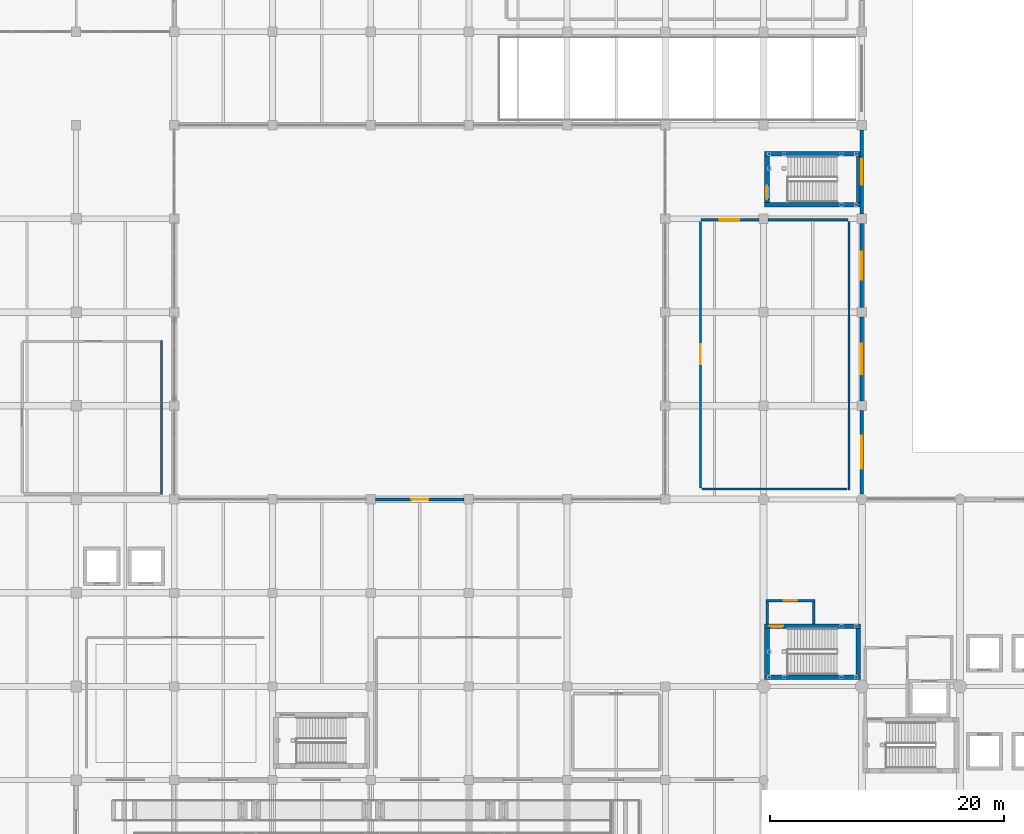
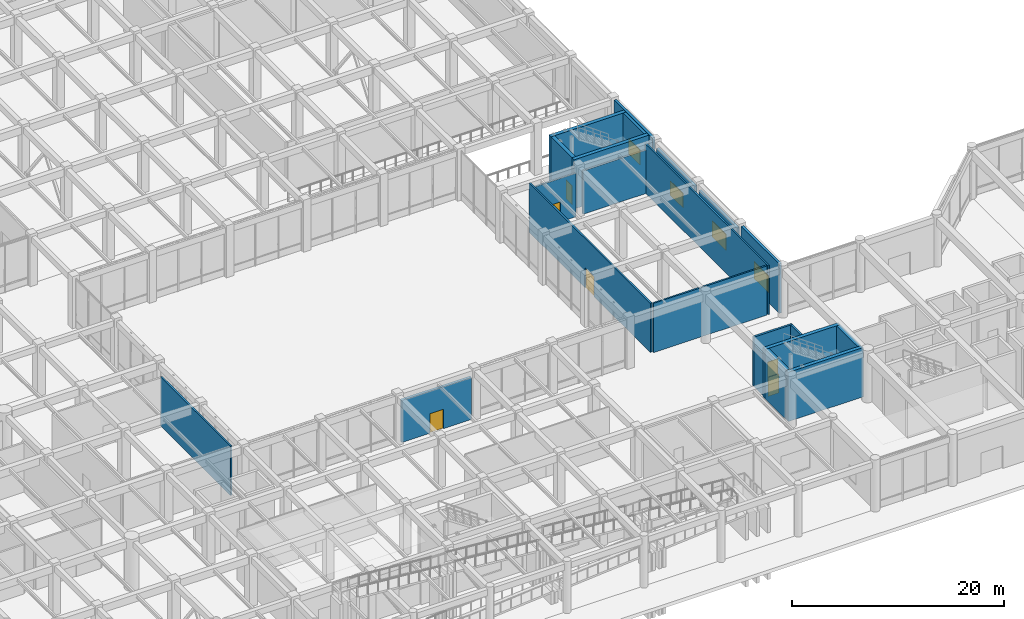
# One storey, part 53 of 76: 22 walls, 6 doors, 4 windows, 10 openings.
"""IFC4 building model written with IfcOpenShell, lengths in metres."""

from ifc_helpers import new_model, si_unit, direction, frame, frame_2d, origin, place, context, subcontext, project, spatial, rectangle, extrude, material, layer, layer_set, type_object, element, fill, save


model = new_model("IFC4")

# Units and contexts
model_context = context("Model", 3, precision=1e-05, world=origin(), true_north=direction((0.0, 1.0)))
body_context = subcontext(model_context, "Body", "Model", "MODEL_VIEW")
ifc_project = project(units=[si_unit("LENGTHUNIT", "METRE"), si_unit("AREAUNIT", "SQUARE_METRE"), si_unit("VOLUMEUNIT", "CUBIC_METRE"), si_unit("PLANEANGLEUNIT", "RADIAN"), si_unit("MASSUNIT", "GRAM", prefix="KILO")], contexts=[model_context])

# Site, building, storey
site_placement = place(None, origin())
site = spatial("IfcSite", under=ifc_project, at=site_placement, CompositionType="ELEMENT")
building_placement = place(site_placement, origin())
building = spatial("IfcBuilding", under=site, at=building_placement, Name="Naruveol Harbour Congress Hotel", CompositionType="ELEMENT")
storey_placement = place(building_placement, origin())
storey = spatial("IfcBuildingStorey", under=building, at=storey_placement, Name="L00", CompositionType="ELEMENT", Elevation=0.0)

# Wall, opening, door
ifc_material_1 = material(Name="Autoclaved Aerated Concrete Block", Category="concrete")
ifc_layer_1 = layer(ifc_material_1, 0.179931640625)
ifc_layer_set_1 = layer_set([ifc_layer_1], Name="Autoclaved Aerated Concrete Block")
wall_type_1 = type_object("IfcWallType", Name="ACOUSTIC HALL PARTITION WALL 180 EI60", PredefinedType="PARTITIONING", material=ifc_layer_set_1)
wall_1_placement = place(storey_placement, frame((112.199951171875, 32.9599609375, 0.0), z_axis=(0.0, 0.0, 1.0), x_axis=(0.0, 1.0, 0.0)))
wall_1 = element("IfcWall", 1, at=wall_1_placement, inside=storey, type_object=wall_type_1, Name="Atrium Espresso Bar and Patisserie west entry wall PW-180", PredefinedType="PARTITIONING", context=body_context, shape_type="SweptSolid", body=[
    extrude(rectangle(XDim=22.880126953125, YDim=0.179931640625, at=frame_2d((11.43994140625, 0.0))), origin(), (0.0, 0.0, 1.0), 5.675048828125),
])
opening_1_placement = place(wall_1_placement, frame((10.590087890625, 0.0, 0.0)))
opening_1 = element("IfcOpeningElement", 2, at=opening_1_placement, cuts=wall_1, Name="Opening ID-MT-30", PredefinedType="OPENING", context=body_context, shape_type="SweptSolid", body=[
    extrude(rectangle(XDim=1.699951171875, YDim=2.300048828125, at=frame_2d((0.85009765625, 1.14990234375))), frame((0.0, 0.099853515625, 0.0), z_axis=(0.0, -1.0, 0.0), x_axis=(1.0, 0.0, 0.0)), (0.0, 0.0, 1.0), 0.199951171875),
])
ifc_material_2 = material(Name="Timber & Steel Acoustic Leaf", Category="steel")
door_type_1 = type_object("IfcDoorType", Name="MEETING SALON DOUBLE DOOR 1700X2300", OperationType="DOUBLE_DOOR_SINGLE_SWING", PredefinedType="DOOR", material=ifc_material_2)
door_1_placement = place(opening_1_placement, origin())
door_1 = element("IfcDoor", 3, at=door_1_placement, inside=storey, type_object=door_type_1, Name="Atrium Espresso Bar and Patisserie Entrance Door", OperationType="DOUBLE_DOOR_SINGLE_SWING", OverallHeight=2.300048828125, OverallWidth=1.699951171875, PredefinedType="DOOR", context=body_context, shape_type="SweptSolid", body=[
    extrude(rectangle(XDim=1.699951171875, YDim=2.300048828125, at=frame_2d((0.85009765625, 1.14990234375))), frame((0.0, 0.02490234375, 0.0), z_axis=(0.0, -1.0, 0.0), x_axis=(1.0, 0.0, 0.0)), (0.0, 0.0, 1.0), 0.050048828125),
])
fill(opening_1, door_1)

# Walls
wall_2_placement = place(storey_placement, frame((112.340087890625, 32.8798828125, 0.0), z_axis=(0.0, 0.0, 1.0), x_axis=(1.0, 0.0, 0.0)))
element("IfcWall", 4, at=wall_2_placement, inside=storey, type_object=wall_type_1, Name="Atrium Espresso Bar and Patisserie south partition PW-180", PredefinedType="PARTITIONING", context=body_context, shape_type="SweptSolid", body=[
    extrude(rectangle(XDim=12.409912109375, YDim=0.179931640625, at=frame_2d((6.205078125, 0.0))), origin(), (0.0, 0.0, 1.0), 5.675048828125),
])
wall_3_placement = place(storey_placement, frame((66.1201171875, 32.39990234375, 0.0), z_axis=(0.0, 0.0, 1.0), x_axis=(0.0, 1.0, 0.0)))
element("IfcWall", 5, at=wall_3_placement, inside=storey, type_object=wall_type_1, Name="Press Briefing Room east enclosure partition PW-180", PredefinedType="PARTITIONING", context=body_context, shape_type="SweptSolid", body=[
    extrude(rectangle(XDim=13.2001953125, YDim=0.179931640625, at=frame_2d((6.60009765625, 0.0))), origin(), (0.0, 0.0, 1.0), 5.675048828125),
])
wall_4_placement = place(storey_placement, frame((124.919921875, 32.800048828125, 0.0), z_axis=(0.0, 0.0, 1.0), x_axis=(0.0, 1.0, 0.0)))
element("IfcWall", 6, at=wall_4_placement, inside=storey, type_object=wall_type_1, Name="Atrium Espresso Bar and Patisserie east enclosure partition PW-180", PredefinedType="PARTITIONING", context=body_context, shape_type="SweptSolid", body=[
    extrude(rectangle(XDim=23.199951171875, YDim=0.179931640625, at=frame_2d((11.60009765625, 0.0))), origin(), (0.0, 0.0, 1.0), 5.675048828125),
])

# Wall, opening, door
wall_5_placement = place(storey_placement, frame((112.23193359375, 55.919921875, 0.0), z_axis=(0.0, 0.0, 1.0), x_axis=(1.0, 0.0, 0.0)))
wall_5 = element("IfcWall", 7, at=wall_5_placement, inside=storey, type_object=wall_type_1, Name="Atrium Espresso Bar and Patisserie north enclosure partition PW-180", PredefinedType="PARTITIONING", context=body_context, shape_type="SweptSolid", body=[
    extrude(rectangle(XDim=4.968017578125, YDim=0.179931640625, at=frame_2d((2.48388671875, 0.0))), origin(), (0.0, 0.0, 1.0), 5.0),
])
opening_2_placement = place(wall_5_placement, frame((1.60009765625, 0.0, 0.0)))
opening_2 = element("IfcOpeningElement", 8, at=opening_2_placement, cuts=wall_5, Name="Opening ID-MT-30B", PredefinedType="OPENING", context=body_context, shape_type="SweptSolid", body=[
    extrude(rectangle(XDim=1.699951171875, YDim=2.300048828125, at=frame_2d((0.85009765625, 1.14990234375))), frame((0.0, 0.099853515625, 0.0), z_axis=(0.0, -1.0, 0.0), x_axis=(1.0, 0.0, 0.0)), (0.0, 0.0, 1.0), 0.199951171875),
])
door_2_placement = place(opening_2_placement, origin())
door_2 = element("IfcDoor", 9, at=door_2_placement, inside=storey, type_object=door_type_1, Name="Atrium Espresso Bar and Patisserie Second Exit Door", OperationType="DOUBLE_DOOR_SINGLE_SWING", OverallHeight=2.300048828125, OverallWidth=1.699951171875, PredefinedType="DOOR", context=body_context, shape_type="SweptSolid", body=[
    extrude(rectangle(XDim=1.699951171875, YDim=2.300048828125, at=frame_2d((0.85009765625, 1.14990234375))), frame((0.0, 0.02490234375, 0.0), z_axis=(0.0, -1.0, 0.0), x_axis=(1.0, 0.0, 0.0)), (0.0, 0.0, 1.0), 0.050048828125),
])
fill(opening_2, door_2)

# Wall
wall_6_placement = place(storey_placement, frame((118.0, 55.919921875, 0.0), z_axis=(0.0, 0.0, 1.0), x_axis=(1.0, 0.0, 0.0)))
element("IfcWall", 10, at=wall_6_placement, inside=storey, type_object=wall_type_1, Name="Atrium Espresso Bar and Patisserie north enclosure partition PW-180", PredefinedType="PARTITIONING", context=body_context, shape_type="SweptSolid", body=[
    extrude(rectangle(XDim=6.830078125, YDim=0.179931640625, at=frame_2d((3.4150390625, 0.0))), origin(), (0.0, 0.0, 1.0), 5.0),
])

# Wall, opening, window
ifc_material_3 = material(Name="Precast concrete C40/50", Category="concrete")
ifc_layer_2 = layer(ifc_material_3, 0.280029296875)
ifc_layer_set_2 = layer_set([ifc_layer_2], Name="Precast concrete C40/50")
wall_type_2 = type_object("IfcWallType", Name="ARCHITECTURAL PRECAST FACADE WALL 280", PredefinedType="SOLIDWALL", material=ifc_layer_set_2)
wall_7_placement = place(storey_placement, frame((126.0, 63.60009765625, 0.0), z_axis=(0.0, 0.0, 1.0), x_axis=(0.0, -1.0, 0.0)))
wall_7 = element("IfcWall", 11, at=wall_7_placement, inside=storey, type_object=wall_type_2, Name="Courtyard wing east garden wall EW-280", PredefinedType="SOLIDWALL", context=body_context, shape_type="SweptSolid", body=[
    extrude(rectangle(XDim=7.2001953125, YDim=0.280029296875, at=frame_2d((3.60009765625, 0.0))), origin(), (0.0, 0.0, 1.0), 5.699951171875),
])
opening_3_placement = place(wall_7_placement, frame((2.5, 0.0, 1.0)))
opening_3 = element("IfcOpeningElement", 12, at=opening_3_placement, cuts=wall_7, Name="Opening W-06", PredefinedType="OPENING", context=body_context, shape_type="SweptSolid", body=[
    extrude(rectangle(XDim=2.199951171875, YDim=1.75, at=frame_2d((1.10009765625, 0.875))), frame((0.0, 0.14990234375, 0.0), z_axis=(0.0, -1.0, 0.0), x_axis=(1.0, 0.0, 0.0)), (0.0, 0.0, 1.0), 0.300048828125),
])
ifc_material_4 = material(Name="Low-E Triple Glazing in Thermal Aluminium", Category="aluminium")
window_type_1 = type_object("IfcWindowType", Name="HARBOUR SUITE WINDOW 2200X1750", PartitioningType="DOUBLE_PANEL_VERTICAL", PredefinedType="WINDOW", material=ifc_material_4)
window_1_placement = place(opening_3_placement, origin())
window_1 = element("IfcWindow", 13, at=window_1_placement, inside=storey, type_object=window_type_1, Name="Window W-06 #135", OverallHeight=1.75, OverallWidth=2.199951171875, PartitioningType="DOUBLE_PANEL_VERTICAL", PredefinedType="WINDOW", context=body_context, shape_type="SweptSolid", body=[
    extrude(rectangle(XDim=2.199951171875, YDim=1.75, at=frame_2d((1.10009765625, 0.875))), frame((0.0, 0.030029296875, 0.0), z_axis=(0.0, -1.0, 0.0), x_axis=(1.0, 0.0, 0.0)), (0.0, 0.0, 1.0), 0.06005859375),
])
fill(opening_3, window_1)

wall_8_placement = place(storey_placement, frame((126.0, 55.60009765625, 0.0), z_axis=(0.0, 0.0, 1.0), x_axis=(0.0, -1.0, 0.0)))
wall_8 = element("IfcWall", 14, at=wall_8_placement, inside=storey, type_object=wall_type_2, Name="Courtyard wing east garden wall EW-280", PredefinedType="SOLIDWALL", context=body_context, shape_type="SweptSolid", body=[
    extrude(rectangle(XDim=7.2001953125, YDim=0.280029296875, at=frame_2d((3.60009765625, 0.0))), origin(), (0.0, 0.0, 1.0), 5.0),
])
opening_4_placement = place(wall_8_placement, frame((2.39990234375, 0.0, 1.0)))
opening_4 = element("IfcOpeningElement", 15, at=opening_4_placement, cuts=wall_8, Name="Opening W-07", PredefinedType="OPENING", context=body_context, shape_type="SweptSolid", body=[
    extrude(rectangle(XDim=2.39990234375, YDim=1.64990234375, at=frame_2d((1.199951171875, 0.824951171875))), frame((0.0, 0.14990234375, 0.0), z_axis=(0.0, -1.0, 0.0), x_axis=(1.0, 0.0, 0.0)), (0.0, 0.0, 1.0), 0.300048828125),
])
ifc_material_5 = material(Name="Low-E Triple Glazing in Thermal Aluminium", Category="aluminium")
window_type_2 = type_object("IfcWindowType", Name="CORNER SUITE WINDOW 2400X1650", PartitioningType="DOUBLE_PANEL_VERTICAL", PredefinedType="WINDOW", material=ifc_material_5)
window_2_placement = place(opening_4_placement, origin())
window_2 = element("IfcWindow", 16, at=window_2_placement, inside=storey, type_object=window_type_2, Name="Window W-07 #136", OverallHeight=1.64990234375, OverallWidth=2.39990234375, PartitioningType="DOUBLE_PANEL_VERTICAL", PredefinedType="WINDOW", context=body_context, shape_type="SweptSolid", body=[
    extrude(rectangle(XDim=2.39990234375, YDim=1.64990234375, at=frame_2d((1.199951171875, 0.824951171875))), frame((0.0, 0.030029296875, 0.0), z_axis=(0.0, -1.0, 0.0), x_axis=(1.0, 0.0, 0.0)), (0.0, 0.0, 1.0), 0.06005859375),
])
fill(opening_4, window_2)

wall_9_placement = place(storey_placement, frame((126.0, 47.60009765625, 0.0), z_axis=(0.0, 0.0, 1.0), x_axis=(0.0, -1.0, 0.0)))
wall_9 = element("IfcWall", 17, at=wall_9_placement, inside=storey, type_object=wall_type_2, Name="Courtyard wing east garden wall EW-280", PredefinedType="SOLIDWALL", context=body_context, shape_type="SweptSolid", body=[
    extrude(rectangle(XDim=7.2001953125, YDim=0.280029296875, at=frame_2d((3.60009765625, 0.0))), origin(), (0.0, 0.0, 1.0), 5.0),
])
opening_5_placement = place(wall_9_placement, frame((2.300048828125, 0.0, 1.0)))
opening_5 = element("IfcOpeningElement", 18, at=opening_5_placement, cuts=wall_9, Name="Opening W-08", PredefinedType="OPENING", context=body_context, shape_type="SweptSolid", body=[
    extrude(rectangle(XDim=2.60009765625, YDim=1.85009765625, at=frame_2d((1.300048828125, 0.925048828125))), frame((0.0, 0.14990234375, 0.0), z_axis=(0.0, -1.0, 0.0), x_axis=(1.0, 0.0, 0.0)), (0.0, 0.0, 1.0), 0.300048828125),
])
ifc_material_6 = material(Name="Low-E Triple Glazing in Thermal Aluminium", Category="aluminium")
window_type_3 = type_object("IfcWindowType", Name="DIPLOMATIC SUITE WINDOW 2600X1850", PartitioningType="DOUBLE_PANEL_VERTICAL", PredefinedType="WINDOW", material=ifc_material_6)
window_3_placement = place(opening_5_placement, origin())
window_3 = element("IfcWindow", 19, at=window_3_placement, inside=storey, type_object=window_type_3, Name="Window W-08 #137", OverallHeight=1.85009765625, OverallWidth=2.60009765625, PartitioningType="DOUBLE_PANEL_VERTICAL", PredefinedType="WINDOW", context=body_context, shape_type="SweptSolid", body=[
    extrude(rectangle(XDim=2.60009765625, YDim=1.85009765625, at=frame_2d((1.300048828125, 0.925048828125))), frame((0.0, 0.030029296875, 0.0), z_axis=(0.0, -1.0, 0.0), x_axis=(1.0, 0.0, 0.0)), (0.0, 0.0, 1.0), 0.06005859375),
])
fill(opening_5, window_3)

wall_10_placement = place(storey_placement, frame((126.0, 39.60009765625, 0.0), z_axis=(0.0, 0.0, 1.0), x_axis=(0.0, -1.0, 0.0)))
wall_10 = element("IfcWall", 20, at=wall_10_placement, inside=storey, type_object=wall_type_2, Name="Courtyard wing east garden wall EW-280", PredefinedType="SOLIDWALL", context=body_context, shape_type="SweptSolid", body=[
    extrude(rectangle(XDim=7.150146484375, YDim=0.280029296875, at=frame_2d((3.5751953125, 0.0))), origin(), (0.0, 0.0, 1.0), 5.699951171875),
])
opening_6_placement = place(wall_10_placement, frame((2.175048828125, 0.0, 1.0)))
opening_6 = element("IfcOpeningElement", 21, at=opening_6_placement, cuts=wall_10, Name="Opening W-09", PredefinedType="OPENING", context=body_context, shape_type="SweptSolid", body=[
    extrude(rectangle(XDim=2.800048828125, YDim=1.949951171875, at=frame_2d((1.39990234375, 0.97509765625))), frame((0.0, 0.14990234375, 0.0), z_axis=(0.0, -1.0, 0.0), x_axis=(1.0, 0.0, 0.0)), (0.0, 0.0, 1.0), 0.300048828125),
])
ifc_material_7 = material(Name="Low-E Triple Glazing in Thermal Aluminium", Category="aluminium")
window_type_4 = type_object("IfcWindowType", Name="PRESIDENTIAL SUITE WINDOW 2800X1950", PartitioningType="DOUBLE_PANEL_VERTICAL", PredefinedType="WINDOW", material=ifc_material_7)
window_4_placement = place(opening_6_placement, origin())
window_4 = element("IfcWindow", 22, at=window_4_placement, inside=storey, type_object=window_type_4, Name="Window W-09 #138", OverallHeight=1.949951171875, OverallWidth=2.800048828125, PartitioningType="DOUBLE_PANEL_VERTICAL", PredefinedType="WINDOW", context=body_context, shape_type="SweptSolid", body=[
    extrude(rectangle(XDim=2.800048828125, YDim=1.949951171875, at=frame_2d((1.39990234375, 0.97509765625))), frame((0.0, 0.030029296875, 0.0), z_axis=(0.0, -1.0, 0.0), x_axis=(1.0, 0.0, 0.0)), (0.0, 0.0, 1.0), 0.06005859375),
])
fill(opening_6, window_4)

# Wall, opening, door
wall_11_placement = place(storey_placement, frame((84.39990234375, 32.0, 0.0), z_axis=(0.0, 0.0, 1.0), x_axis=(1.0, 0.0, 0.0)))
wall_11 = element("IfcWall", 23, at=wall_11_placement, inside=storey, type_object=wall_type_2, Name="Central Tidal Court garden portal EW-280", PredefinedType="SOLIDWALL", context=body_context, shape_type="SweptSolid", body=[
    extrude(rectangle(XDim=7.60009765625, YDim=0.280029296875, at=frame_2d((3.800048828125, 0.0))), origin(), (0.0, 0.0, 1.0), 4.85009765625),
])
opening_7_placement = place(wall_11_placement, frame((3.074951171875, 0.0, 0.0)))
opening_7 = element("IfcOpeningElement", 24, at=opening_7_placement, cuts=wall_11, Name="Opening ED-CT1", PredefinedType="OPENING", context=body_context, shape_type="SweptSolid", body=[
    extrude(rectangle(XDim=1.449951171875, YDim=2.25, at=frame_2d((0.72509765625, 1.125))), frame((0.0, 0.14990234375, 0.0), z_axis=(0.0, -1.0, 0.0), x_axis=(1.0, 0.0, 0.0)), (0.0, 0.0, 1.0), 0.300048828125),
])
ifc_material_8 = material(Name="Powder-Coated Steel & Insulated Glazing", Category="steel")
door_type_2 = type_object("IfcDoorType", Name="COURTYARD PAVILION DOOR 1450X2250", OperationType="DOUBLE_DOOR_SINGLE_SWING", PredefinedType="DOOR", material=ifc_material_8)
door_3_placement = place(opening_7_placement, origin())
door_3 = element("IfcDoor", 25, at=door_3_placement, inside=storey, type_object=door_type_2, Name="Central Tidal Courtyard Door ED-CT1", OperationType="DOUBLE_DOOR_SINGLE_SWING", OverallHeight=2.25, OverallWidth=1.449951171875, PredefinedType="DOOR", context=body_context, shape_type="SweptSolid", body=[
    extrude(rectangle(XDim=1.449951171875, YDim=2.25, at=frame_2d((0.72509765625, 1.125))), frame((0.0, 0.02490234375, 0.0), z_axis=(0.0, -1.0, 0.0), x_axis=(1.0, 0.0, 0.0)), (0.0, 0.0, 1.0), 0.050048828125),
])
fill(opening_7, door_3)

# Wall
ifc_material_9 = material(Name="Concrete C40/50", Category="concrete")
ifc_layer_3 = layer(ifc_material_9, 0.219970703125)
ifc_layer_set_3 = layer_set([ifc_layer_3], Name="Concrete C40/50")
wall_type_3 = type_object("IfcWallType", Name="FIRE COMPARTMENT AND LOBBY WALL 220 EI120", PredefinedType="PARTITIONING", material=ifc_layer_set_3)
wall_12_placement = place(storey_placement, frame((117.89990234375, 21.364990234375, 0.0), z_axis=(0.0, 0.0, 1.0), x_axis=(0.0, 1.0, 0.0)))
element("IfcWall", 26, at=wall_12_placement, inside=storey, type_object=wall_type_3, Name="Smoke vestibule ST3 west wall FW-220", PredefinedType="PARTITIONING", context=body_context, shape_type="SweptSolid", body=[
    extrude(rectangle(XDim=1.8701171875, YDim=0.219970703125, at=frame_2d((0.93505859375, 0.0))), origin(), (0.0, 0.0, 1.0), 4.75),
])

# Wall, opening, door
wall_13_placement = place(storey_placement, frame((117.7900390625, 23.35009765625, 0.0), z_axis=(0.0, 0.0, 1.0), x_axis=(1.0, 0.0, 0.0)))
wall_13 = element("IfcWall", 27, at=wall_13_placement, inside=storey, type_object=wall_type_3, Name="Smoke vestibule ST3 north wall FW-220", PredefinedType="PARTITIONING", context=body_context, shape_type="SweptSolid", body=[
    extrude(rectangle(XDim=4.219970703125, YDim=0.219970703125, at=frame_2d((2.10986328125, 0.0))), origin(), (0.0, 0.0, 1.0), 5.675048828125),
])
opening_8_placement = place(wall_13_placement, frame((1.550048828125, 0.0, 0.0)))
opening_8 = element("IfcOpeningElement", 28, at=opening_8_placement, cuts=wall_13, Name="Opening FD-ST3-V-L00", PredefinedType="OPENING", context=body_context, shape_type="SweptSolid", body=[
    extrude(rectangle(XDim=1.1201171875, YDim=2.199951171875, at=frame_2d((0.56005859375, 1.10009765625))), frame((0.0, 0.119873046875, 0.0), z_axis=(0.0, -1.0, 0.0), x_axis=(1.0, 0.0, 0.0)), (0.0, 0.0, 1.0), 0.239990234375),
])
ifc_material_10 = material(Name="Timber & Steel Acoustic Leaf", Category="steel")
door_type_3 = type_object("IfcDoorType", Name="VESTIBULE SMOKE CONTROL FIRE DOOR 1120X2200", OperationType="NOTDEFINED", PredefinedType="DOOR", material=ifc_material_10)
door_4_placement = place(opening_8_placement, origin())
door_4 = element("IfcDoor", 29, at=door_4_placement, inside=storey, type_object=door_type_3, Name="Smoke Vestibule Entry Door ST3 L00", OperationType="SINGLE_SWING_LEFT", OverallHeight=2.199951171875, OverallWidth=1.1201171875, PredefinedType="DOOR", context=body_context, shape_type="SweptSolid", body=[
    extrude(rectangle(XDim=1.1201171875, YDim=2.199951171875, at=frame_2d((0.56005859375, 1.10009765625))), frame((0.0, 0.02490234375, 0.0), z_axis=(0.0, -1.0, 0.0), x_axis=(1.0, 0.0, 0.0)), (0.0, 0.0, 1.0), 0.050048828125),
])
fill(opening_8, door_4)

# Walls
wall_14_placement = place(storey_placement, frame((121.89990234375, 21.364990234375, 0.0), z_axis=(0.0, 0.0, 1.0), x_axis=(0.0, 1.0, 0.0)))
element("IfcWall", 30, at=wall_14_placement, inside=storey, type_object=wall_type_3, Name="Smoke vestibule ST3 east wall FW-220", PredefinedType="PARTITIONING", context=body_context, shape_type="SweptSolid", body=[
    extrude(rectangle(XDim=1.8701171875, YDim=0.219970703125, at=frame_2d((0.93505859375, 0.0))), origin(), (0.0, 0.0, 1.0), 5.675048828125),
])
ifc_material_11 = material(Name="Concrete C50/60", Category="concrete")
ifc_layer_4 = layer(ifc_material_11, 0.39990234375)
ifc_layer_set_4 = layer_set([ifc_layer_4], Name="Concrete C50/60")
wall_type_4 = type_object("IfcWallType", Name="RC CORE SHEAR WALL 400 EI120", PredefinedType="SHEAR", material=ifc_layer_set_4)
wall_15_placement = place(storey_placement, frame((117.699951171875, 16.800048828125, 0.0), z_axis=(0.0, 0.0, 1.0), x_axis=(1.0, 0.0, 0.0)))
element("IfcWall", 31, at=wall_15_placement, inside=storey, type_object=wall_type_4, Name="Stair ST3 south core wall CW-400", PredefinedType="SHEAR", context=body_context, shape_type="SweptSolid", body=[
    extrude(rectangle(XDim=8.199951171875, YDim=0.39990234375, at=frame_2d((4.10009765625, 0.0))), origin(), (0.0, 0.0, 1.0), 5.675048828125),
])
wall_16_placement = place(storey_placement, frame((125.699951171875, 17.0048828125, 0.0), z_axis=(0.0, 0.0, 1.0), x_axis=(0.0, 1.0, 0.0)))
element("IfcWall", 32, at=wall_16_placement, inside=storey, type_object=wall_type_4, Name="Stair ST3 east core wall CW-400", PredefinedType="SHEAR", context=body_context, shape_type="SweptSolid", body=[
    extrude(rectangle(XDim=3.9501953125, YDim=0.39990234375, at=frame_2d((1.97509765625, 0.0))), origin(), (0.0, 0.0, 1.0), 5.675048828125),
])

# Wall, opening, door
wall_17_placement = place(storey_placement, frame((117.699951171875, 21.159912109375, 0.0), z_axis=(0.0, 0.0, 1.0), x_axis=(1.0, 0.0, 0.0)))
wall_17 = element("IfcWall", 33, at=wall_17_placement, inside=storey, type_object=wall_type_4, Name="Stair ST3 north core wall CW-400", PredefinedType="SHEAR", context=body_context, shape_type="SweptSolid", body=[
    extrude(rectangle(XDim=8.199951171875, YDim=0.39990234375, at=frame_2d((4.10009765625, 0.0))), origin(), (0.0, 0.0, 1.0), 5.675048828125),
])
opening_9_placement = place(wall_17_placement, frame((0.429931640625, 0.0, 0.0)))
opening_9 = element("IfcOpeningElement", 34, at=opening_9_placement, cuts=wall_17, Name="Opening FD-ST3-S-L00", PredefinedType="OPENING", context=body_context, shape_type="SweptSolid", body=[
    extrude(rectangle(XDim=1.159912109375, YDim=2.199951171875, at=frame_2d((0.580078125, 1.10009765625))), frame((0.0, 0.2099609375, 0.0), z_axis=(0.0, -1.0, 0.0), x_axis=(1.0, 0.0, 0.0)), (0.0, 0.0, 1.0), 0.419921875),
])
ifc_material_12 = material(Name="Timber & Steel Acoustic Leaf", Category="steel")
door_type_4 = type_object("IfcDoorType", Name="SPECIAL ESCAPE STAIR FIRE DOOR 1160X2200", OperationType="NOTDEFINED", PredefinedType="DOOR", material=ifc_material_12)
door_5_placement = place(opening_9_placement, origin())
door_5 = element("IfcDoor", 35, at=door_5_placement, inside=storey, type_object=door_type_4, Name="Special Escape Stair Door ST3 L00", OperationType="SINGLE_SWING_RIGHT", OverallHeight=2.199951171875, OverallWidth=1.159912109375, PredefinedType="DOOR", context=body_context, shape_type="SweptSolid", body=[
    extrude(rectangle(XDim=1.159912109375, YDim=2.199951171875, at=frame_2d((0.580078125, 1.10009765625))), frame((0.0, 0.02490234375, 0.0), z_axis=(0.0, -1.0, 0.0), x_axis=(1.0, 0.0, 0.0)), (0.0, 0.0, 1.0), 0.050048828125),
])
fill(opening_9, door_5)

# Walls
wall_18_placement = place(storey_placement, frame((117.89990234375, 17.0048828125, 0.0), z_axis=(0.0, 0.0, 1.0), x_axis=(0.0, 1.0, 0.0)))
element("IfcWall", 36, at=wall_18_placement, inside=storey, type_object=wall_type_4, Name="Stair ST3 west core wall CW-400", PredefinedType="SHEAR", context=body_context, shape_type="SweptSolid", body=[
    extrude(rectangle(XDim=3.9501953125, YDim=0.39990234375, at=frame_2d((1.97509765625, 0.0))), origin(), (0.0, 0.0, 1.0), 5.675048828125),
])
for number, where, z_axis, x_axis, name in (
    (37, (117.699951171875, 57.199951171875, 0.0), (0.0, 0.0, 1.0), (1.0, 0.0, 0.0), "Stair ST9 south core wall CW-400"),
    (38, (117.699951171875, 61.56005859375, 0.0), (0.0, 0.0, 1.0), (1.0, 0.0, 0.0), "Stair ST9 north core wall CW-400"),
):
    element("IfcWall", number, at=place(storey_placement, frame(where, z_axis=z_axis, x_axis=x_axis)), inside=storey, type_object=wall_type_4, Name=name, PredefinedType="SHEAR", context=body_context, shape_type="SweptSolid", body=[
        extrude(rectangle(XDim=8.150146484375, YDim=0.39990234375, at=frame_2d((4.0751953125, 0.0))), origin(), (0.0, 0.0, 1.0), 5.675048828125),
    ])

# Wall, opening, door
wall_19_placement = place(storey_placement, frame((117.89990234375, 57.405029296875, 0.0), z_axis=(0.0, 0.0, 1.0), x_axis=(0.0, 1.0, 0.0)))
wall_19 = element("IfcWall", 39, at=wall_19_placement, inside=storey, type_object=wall_type_4, Name="Stair ST9 west core wall CW-400", PredefinedType="SHEAR", context=body_context, shape_type="SweptSolid", body=[
    extrude(rectangle(XDim=3.949951171875, YDim=0.39990234375, at=frame_2d((1.97509765625, 0.0))), origin(), (0.0, 0.0, 1.0), 5.675048828125),
])
opening_10_placement = place(wall_19_placement, frame((0.280029296875, 0.0, 0.0)))
opening_10 = element("IfcOpeningElement", 40, at=opening_10_placement, cuts=wall_19, Name="Opening FD-ST9-L00", PredefinedType="OPENING", context=body_context, shape_type="SweptSolid", body=[
    extrude(rectangle(XDim=1.159912109375, YDim=2.199951171875, at=frame_2d((0.580078125, 1.10009765625))), frame((0.0, 0.2099609375, 0.0), z_axis=(0.0, -1.0, 0.0), x_axis=(1.0, 0.0, 0.0)), (0.0, 0.0, 1.0), 0.419921875),
])
door_6_placement = place(opening_10_placement, origin())
door_6 = element("IfcDoor", 41, at=door_6_placement, inside=storey, type_object=door_type_4, Name="Enclosed Exit Stair Door ST9 L00", OperationType="SINGLE_SWING_RIGHT", OverallHeight=2.199951171875, OverallWidth=1.159912109375, PredefinedType="DOOR", context=body_context, shape_type="SweptSolid", body=[
    extrude(rectangle(XDim=1.159912109375, YDim=2.199951171875, at=frame_2d((0.580078125, 1.10009765625))), frame((0.0, 0.02490234375, 0.0), z_axis=(0.0, -1.0, 0.0), x_axis=(1.0, 0.0, 0.0)), (0.0, 0.0, 1.0), 0.050048828125),
])
fill(opening_10, door_6)

# Wall
ifc_material_13 = material(Name="Concrete C50/60", Category="concrete")
ifc_layer_5 = layer(ifc_material_13, 0.300048828125)
ifc_layer_set_5 = layer_set([ifc_layer_5], Name="Concrete C50/60")
wall_type_5 = type_object("IfcWallType", Name="RC STAIR AND HOISTWAY SHEAR WALL 300 EI120", PredefinedType="SHEAR", material=ifc_layer_set_5)
wall_20_placement = place(storey_placement, frame((125.699951171875, 57.405029296875, 0.0), z_axis=(0.0, 0.0, 1.0), x_axis=(0.0, 1.0, 0.0)))
element("IfcWall", 42, at=wall_20_placement, inside=storey, type_object=wall_type_5, Name="Stair ST9 east core wall SW-300", PredefinedType="SHEAR", context=body_context, shape_type="SweptSolid", body=[
    extrude(rectangle(XDim=3.949951171875, YDim=0.300048828125, at=frame_2d((1.97509765625, 0.0))), origin(), (0.0, 0.0, 1.0), 5.675048828125),
])

save(model, "model.ifc")
